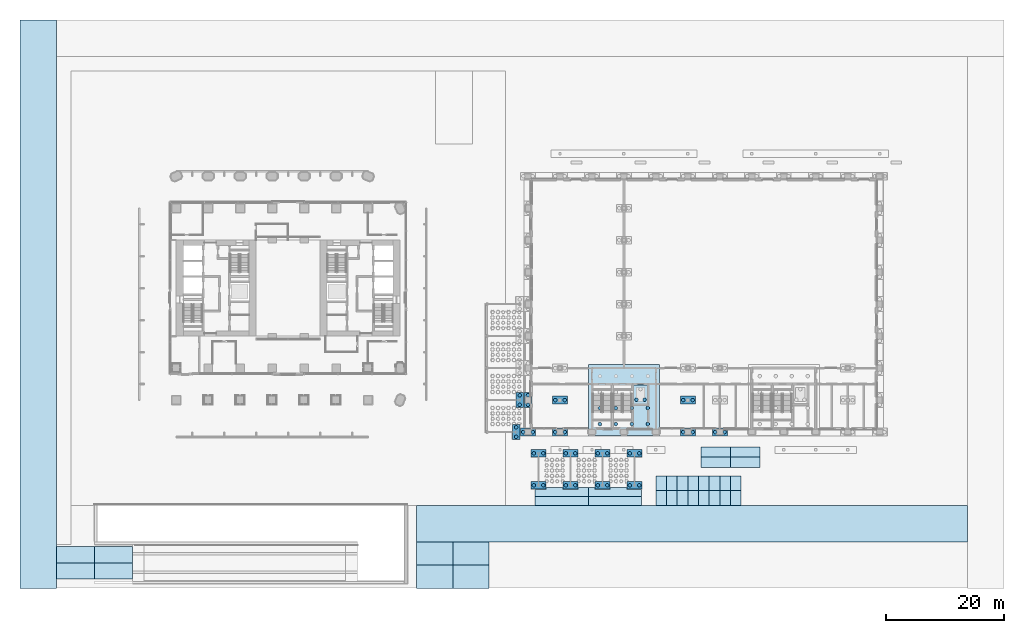
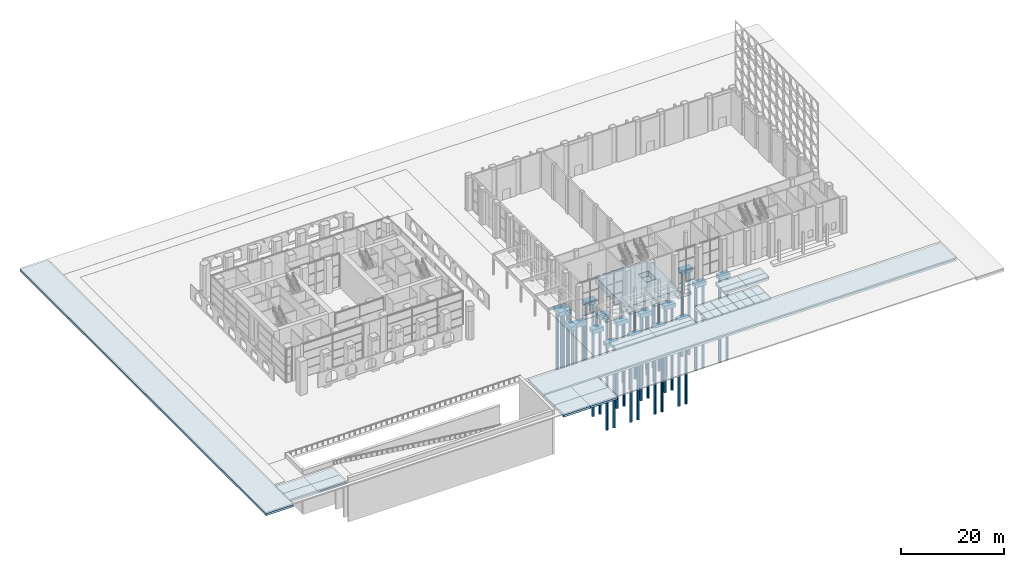
# One storey, part 1 of 54: 53 footings, 44 piles.
"""IFC4 building model written with IfcOpenShell, lengths in metres."""

from ifc_helpers import new_model, si_unit, direction, frame, origin, origin_2d, place, context, subcontext, project, spatial, polyline, rectangle, circle, outline, extrude, material, material_profile, profile_set, type_object, element, save


model = new_model("IFC4")

# Units and contexts
model_context = context("Model", 3, precision=1e-05, world=origin(), true_north=direction((0.0, 1.0)))
body_context = subcontext(model_context, "Body", "Model", "MODEL_VIEW")
ifc_project = project(units=[si_unit("LENGTHUNIT", "METRE"), si_unit("AREAUNIT", "SQUARE_METRE"), si_unit("VOLUMEUNIT", "CUBIC_METRE"), si_unit("PLANEANGLEUNIT", "RADIAN"), si_unit("MASSUNIT", "GRAM", prefix="KILO")], contexts=[model_context])

# Site, building, storey
site_placement = place(None, origin())
site = spatial("IfcSite", under=ifc_project, at=site_placement, CompositionType="ELEMENT")
building_placement = place(site_placement, origin())
building = spatial("IfcBuilding", under=site, at=building_placement, Name="Tabaq Tower and Sports Hall", CompositionType="ELEMENT")
storey_placement = place(building_placement, origin())
storey = spatial("IfcBuildingStorey", under=building, at=storey_placement, Name="L00", CompositionType="ELEMENT", Elevation=0.0)

# Piles
ifc_material_1 = material(Name="Concrete C40/50 sulphate-resisting", Category="concrete")
ifc_material_profile_1 = material_profile(ifc_material_1, circle(Radius=0.300048828125, at=origin_2d()), Name="D600")
ifc_profile_set_1 = profile_set([ifc_material_profile_1], Name="Concrete C40/50 sulphate-resisting")
pile_type_1 = type_object("IfcPileType", Name="CANOPY BORED PILE D600", PredefinedType="BORED", material=ifc_profile_set_1)
for number, where, z_axis, x_axis, name in (
    (1, (62.800048828125, -0.800048828125, -1.199951171875), (0.0, 0.0, -1.0), (1.0, 0.0, 0.0), "Canopy bored pile PC1-1"),
    (2, (62.800048828125, 0.800048828125, -1.199951171875), (0.0, 0.0, -1.0), (1.0, 0.0, 0.0), "Canopy bored pile PC1-2"),
    (3, (63.39990234375, 4.60009765625, -1.199951171875), (0.0, 0.0, -1.0), (1.0, 0.0, 0.0), "Canopy bored pile PC2-1"),
    (4, (63.39990234375, 6.199951171875, -1.199951171875), (0.0, 0.0, -1.0), (1.0, 0.0, 0.0), "Canopy bored pile PC2-2"),
    (5, (65.800048828125, -9.0, -1.199951171875), (0.0, 0.0, -1.0), (1.0, 0.0, 0.0), "Canopy bored pile DC1-1"),
    (6, (67.39990234375, -9.0, -1.199951171875), (0.0, 0.0, -1.0), (1.0, 0.0, 0.0), "Canopy bored pile DC1-2"),
    (7, (65.800048828125, -3.60009765625, -1.199951171875), (0.0, 0.0, -1.0), (1.0, 0.0, 0.0), "Canopy bored pile DC1R-1"),
    (8, (67.39990234375, -3.60009765625, -1.199951171875), (0.0, 0.0, -1.0), (1.0, 0.0, 0.0), "Canopy bored pile DC1R-2"),
    (9, (71.199951171875, -9.0, -1.199951171875), (0.0, 0.0, -1.0), (1.0, 0.0, 0.0), "Canopy bored pile DC2-1"),
    (10, (72.800048828125, -9.0, -1.199951171875), (0.0, 0.0, -1.0), (1.0, 0.0, 0.0), "Canopy bored pile DC2-2"),
    (11, (71.199951171875, -3.60009765625, -1.199951171875), (0.0, 0.0, -1.0), (1.0, 0.0, 0.0), "Canopy bored pile DC2R-1"),
    (12, (72.800048828125, -3.60009765625, -1.199951171875), (0.0, 0.0, -1.0), (1.0, 0.0, 0.0), "Canopy bored pile DC2R-2"),
    (13, (76.60009765625, -9.0, -1.199951171875), (0.0, 0.0, -1.0), (1.0, 0.0, 0.0), "Canopy bored pile DC3-1"),
    (14, (78.199951171875, -9.0, -1.199951171875), (0.0, 0.0, -1.0), (1.0, 0.0, 0.0), "Canopy bored pile DC3-2"),
    (15, (76.60009765625, -3.60009765625, -1.199951171875), (0.0, 0.0, -1.0), (1.0, 0.0, 0.0), "Canopy bored pile DC3R-1"),
    (16, (78.199951171875, -3.60009765625, -1.199951171875), (0.0, 0.0, -1.0), (1.0, 0.0, 0.0), "Canopy bored pile DC3R-2"),
    (17, (82.0, -9.0, -1.199951171875), (0.0, 0.0, -1.0), (1.0, 0.0, 0.0), "Canopy bored pile DC4-1"),
    (18, (83.60009765625, -9.0, -1.199951171875), (0.0, 0.0, -1.0), (1.0, 0.0, 0.0), "Canopy bored pile DC4-2"),
    (19, (82.0, -3.60009765625, -1.199951171875), (0.0, 0.0, -1.0), (1.0, 0.0, 0.0), "Canopy bored pile DC4R-1"),
    (20, (83.60009765625, -3.60009765625, -1.199951171875), (0.0, 0.0, -1.0), (1.0, 0.0, 0.0), "Canopy bored pile DC4R-2"),
):
    element("IfcPile", number, at=place(storey_placement, frame(where, z_axis=z_axis, x_axis=x_axis)), inside=storey, type_object=pile_type_1, Name=name, PredefinedType="BORED", context=body_context, shape_type="SweptSolid", body=[
        extrude(circle(Radius=0.300048828125, at=origin_2d()), origin(), (0.0, 0.0, 1.0), 20.0),
    ])

# Footings
ifc_material_2 = material(Name="Concrete C40/50 sulphate-resisting", Category="concrete")
footing_type_1 = type_object("IfcFootingType", Name="CANOPY PILE CAP 2500x1300x1000", PredefinedType="PILE_CAP", material=ifc_material_2)
for number, where, z_axis, x_axis, name in (
    (21, (62.800048828125, 0.0, -1.300048828125), (0.0, 0.0, 1.0), (0.0, 1.0, 0.0), "Canopy pile cap PC1"),
    (22, (63.39990234375, 5.39990234375, -1.300048828125), (0.0, 0.0, 1.0), (0.0, 1.0, 0.0), "Canopy pile cap PC2"),
    (23, (66.60009765625, -9.0, -1.300048828125), (0.0, 0.0, 1.0), (1.0, 0.0, 0.0), "Canopy pile cap DC1"),
    (24, (66.60009765625, -3.60009765625, -1.300048828125), (0.0, 0.0, 1.0), (1.0, 0.0, 0.0), "Canopy pile cap DC1R"),
    (25, (72.0, -9.0, -1.300048828125), (0.0, 0.0, 1.0), (1.0, 0.0, 0.0), "Canopy pile cap DC2"),
    (26, (72.0, -3.60009765625, -1.300048828125), (0.0, 0.0, 1.0), (1.0, 0.0, 0.0), "Canopy pile cap DC2R"),
    (27, (77.39990234375, -9.0, -1.300048828125), (0.0, 0.0, 1.0), (1.0, 0.0, 0.0), "Canopy pile cap DC3"),
    (28, (77.39990234375, -3.60009765625, -1.300048828125), (0.0, 0.0, 1.0), (1.0, 0.0, 0.0), "Canopy pile cap DC3R"),
    (29, (82.800048828125, -9.0, -1.300048828125), (0.0, 0.0, 1.0), (1.0, 0.0, 0.0), "Canopy pile cap DC4"),
    (30, (82.800048828125, -3.60009765625, -1.300048828125), (0.0, 0.0, 1.0), (1.0, 0.0, 0.0), "Canopy pile cap DC4R"),
):
    element("IfcFooting", number, at=place(storey_placement, frame(where, z_axis=z_axis, x_axis=x_axis)), inside=storey, type_object=footing_type_1, Name=name, PredefinedType="PILE_CAP", context=body_context, shape_type="SweptSolid", body=[
        extrude(rectangle(XDim=2.5, YDim=1.300048828125, at=origin_2d()), origin(), (0.0, 0.0, 1.0), 1.0),
    ])
ifc_material_3 = material(Name="Compacted crushed limestone sub-base", Category="masonry")
footing_type_2 = type_object("IfcFootingType", Name="COMPACTED LIMESTONE SUB-BASE 500", PredefinedType="USERDEFINED", material=ifc_material_3)
footing_1_placement = place(storey_placement, frame((0.0, 0.0, -0.800048828125)))
element("IfcFooting", 31, at=footing_1_placement, inside=storey, type_object=footing_type_2, Name="Sub-base under west street (fire appliance access)", ObjectType="SUB-BASE", PredefinedType="USERDEFINED", context=body_context, shape_type="SweptSolid", body=[
    extrude(outline(polyline([(-14.800048828125, 69.580078125), (-20.97998046875, 69.580078125), (-20.97998046875, -26.3798828125), (-14.800048828125, -26.3798828125), (-14.800048828125, 69.580078125)])), origin(), (0.0, 0.0, 1.0), 0.5),
])
footing_2_placement = place(storey_placement, frame((0.0, 0.0, -0.800048828125)))
element("IfcFooting", 32, at=footing_2_placement, inside=storey, type_object=footing_type_2, Name="Sub-base under car park access road", ObjectType="SUB-BASE", PredefinedType="USERDEFINED", context=body_context, shape_type="SweptSolid", body=[
    extrude(outline(polyline([(-14.800048828125, -24.85009765625), (-8.39990234375, -24.85009765625), (-8.39990234375, -22.10009765625), (-14.800048828125, -22.10009765625), (-14.800048828125, -24.85009765625)])), origin(), (0.0, 0.0, 1.0), 0.5),
])
footing_3_placement = place(storey_placement, frame((0.0, 0.0, -0.800048828125)))
element("IfcFooting", 33, at=footing_3_placement, inside=storey, type_object=footing_type_2, Name="Sub-base under car park access road", ObjectType="SUB-BASE", PredefinedType="USERDEFINED", context=body_context, shape_type="SweptSolid", body=[
    extrude(outline(polyline([(-2.0, -24.85009765625), (-2.0, -22.10009765625), (-8.39990234375, -22.10009765625), (-8.39990234375, -24.85009765625), (-2.0, -24.85009765625)])), origin(), (0.0, 0.0, 1.0), 0.5),
])
footing_4_placement = place(storey_placement, frame((0.0, 0.0, -0.800048828125)))
element("IfcFooting", 34, at=footing_4_placement, inside=storey, type_object=footing_type_2, Name="Sub-base under car park access road", ObjectType="SUB-BASE", PredefinedType="USERDEFINED", context=body_context, shape_type="SweptSolid", body=[
    extrude(outline(polyline([(-8.39990234375, -19.35009765625), (-14.800048828125, -19.35009765625), (-14.800048828125, -22.10009765625), (-8.39990234375, -22.10009765625), (-8.39990234375, -19.35009765625)])), origin(), (0.0, 0.0, 1.0), 0.5),
])
footing_5_placement = place(storey_placement, frame((0.0, 0.0, -0.800048828125)))
element("IfcFooting", 35, at=footing_5_placement, inside=storey, type_object=footing_type_2, Name="Sub-base under car park access road", ObjectType="SUB-BASE", PredefinedType="USERDEFINED", context=body_context, shape_type="SweptSolid", body=[
    extrude(outline(polyline([(-2.0, -19.35009765625), (-8.39990234375, -19.35009765625), (-8.39990234375, -22.10009765625), (-2.0, -22.10009765625), (-2.0, -19.35009765625)])), origin(), (0.0, 0.0, 1.0), 0.5),
])
footing_6_placement = place(storey_placement, frame((0.0, 0.0, -0.800048828125)))
element("IfcFooting", 36, at=footing_6_placement, inside=storey, type_object=footing_type_2, Name="Sub-base under south road (fire appliance access)", ObjectType="SUB-BASE", PredefinedType="USERDEFINED", context=body_context, shape_type="SweptSolid", body=[
    extrude(outline(polyline([(46.0, -18.60009765625), (139.0, -18.60009765625), (139.0, -12.39990234375), (61.0, -12.39990234375), (46.0, -12.39990234375), (46.0, -18.60009765625)])), origin(), (0.0, 0.0, 1.0), 0.5),
])
footing_7_placement = place(storey_placement, frame((0.0, 0.0, -0.800048828125)))
element("IfcFooting", 37, at=footing_7_placement, inside=storey, type_object=footing_type_2, Name="Sub-base under south road turning head (fire appliance access)", ObjectType="SUB-BASE", PredefinedType="USERDEFINED", context=body_context, shape_type="SweptSolid", body=[
    extrude(outline(polyline([(46.0, -26.3798828125), (52.10009765625, -26.3798828125), (52.10009765625, -22.489990234375), (46.0, -22.489990234375), (46.0, -26.3798828125)])), origin(), (0.0, 0.0, 1.0), 0.5),
])
footing_8_placement = place(storey_placement, frame((0.0, 0.0, -0.800048828125)))
element("IfcFooting", 38, at=footing_8_placement, inside=storey, type_object=footing_type_2, Name="Sub-base under south road turning head (fire appliance access)", ObjectType="SUB-BASE", PredefinedType="USERDEFINED", context=body_context, shape_type="SweptSolid", body=[
    extrude(outline(polyline([(58.199951171875, -26.3798828125), (58.199951171875, -22.489990234375), (52.10009765625, -22.489990234375), (52.10009765625, -26.3798828125), (58.199951171875, -26.3798828125)])), origin(), (0.0, 0.0, 1.0), 0.5),
])
footing_9_placement = place(storey_placement, frame((0.0, 0.0, -0.800048828125)))
element("IfcFooting", 39, at=footing_9_placement, inside=storey, type_object=footing_type_2, Name="Sub-base under south road turning head (fire appliance access)", ObjectType="SUB-BASE", PredefinedType="USERDEFINED", context=body_context, shape_type="SweptSolid", body=[
    extrude(outline(polyline([(46.0, -18.60009765625), (46.0, -22.489990234375), (52.10009765625, -22.489990234375), (52.10009765625, -18.60009765625), (46.0, -18.60009765625)])), origin(), (0.0, 0.0, 1.0), 0.5),
])
footing_10_placement = place(storey_placement, frame((0.0, 0.0, -0.800048828125)))
element("IfcFooting", 40, at=footing_10_placement, inside=storey, type_object=footing_type_2, Name="Sub-base under south road turning head (fire appliance access)", ObjectType="SUB-BASE", PredefinedType="USERDEFINED", context=body_context, shape_type="SweptSolid", body=[
    extrude(outline(polyline([(58.199951171875, -22.489990234375), (58.199951171875, -18.60009765625), (52.10009765625, -18.60009765625), (52.10009765625, -22.489990234375), (58.199951171875, -22.489990234375)])), origin(), (0.0, 0.0, 1.0), 0.5),
])
footing_11_placement = place(storey_placement, frame((0.0, 0.0, -0.75)))
element("IfcFooting", 41, at=footing_11_placement, inside=storey, type_object=footing_type_2, Name="Sub-base under loading bay 3.5 x 10 m", ObjectType="SUB-BASE", PredefinedType="USERDEFINED", context=body_context, shape_type="SweptSolid", body=[
    extrude(outline(polyline([(94.0, -4.25), (94.0, -6.0), (99.0, -6.0), (99.0, -4.25), (94.0, -4.25)])), origin(), (0.0, 0.0, 1.0), 0.5),
])
footing_12_placement = place(storey_placement, frame((0.0, 0.0, -0.75)))
element("IfcFooting", 42, at=footing_12_placement, inside=storey, type_object=footing_type_2, Name="Sub-base under loading bay 3.5 x 10 m", ObjectType="SUB-BASE", PredefinedType="USERDEFINED", context=body_context, shape_type="SweptSolid", body=[
    extrude(outline(polyline([(104.0, -6.0), (104.0, -4.25), (99.0, -4.25), (99.0, -6.0), (104.0, -6.0)])), origin(), (0.0, 0.0, 1.0), 0.5),
])
footing_13_placement = place(storey_placement, frame((0.0, 0.0, -0.75)))
element("IfcFooting", 43, at=footing_13_placement, inside=storey, type_object=footing_type_2, Name="Sub-base under loading bay 3.5 x 10 m", ObjectType="SUB-BASE", PredefinedType="USERDEFINED", context=body_context, shape_type="SweptSolid", body=[
    extrude(outline(polyline([(94.0, -2.5), (94.0, -4.25), (99.0, -4.25), (99.0, -2.5), (94.0, -2.5)])), origin(), (0.0, 0.0, 1.0), 0.5),
])
footing_14_placement = place(storey_placement, frame((0.0, 0.0, -0.75)))
element("IfcFooting", 44, at=footing_14_placement, inside=storey, type_object=footing_type_2, Name="Sub-base under loading bay 3.5 x 10 m", ObjectType="SUB-BASE", PredefinedType="USERDEFINED", context=body_context, shape_type="SweptSolid", body=[
    extrude(outline(polyline([(104.0, -2.5), (99.0, -2.5), (99.0, -4.25), (104.0, -4.25), (104.0, -2.5)])), origin(), (0.0, 0.0, 1.0), 0.5),
])
footing_15_placement = place(storey_placement, frame((0.0, 0.0, -0.75)))
element("IfcFooting", 45, at=footing_15_placement, inside=storey, type_object=footing_type_2, Name="Sub-base under drop-off lay-by", ObjectType="SUB-BASE", PredefinedType="USERDEFINED", context=body_context, shape_type="SweptSolid", body=[
    extrude(outline(polyline([(66.0, -12.39990234375), (75.0, -12.39990234375), (75.0, -10.89990234375), (66.0, -10.89990234375), (66.0, -12.39990234375)])), origin(), (0.0, 0.0, 1.0), 0.5),
])
footing_16_placement = place(storey_placement, frame((0.0, 0.0, -0.75)))
element("IfcFooting", 46, at=footing_16_placement, inside=storey, type_object=footing_type_2, Name="Sub-base under drop-off lay-by", ObjectType="SUB-BASE", PredefinedType="USERDEFINED", context=body_context, shape_type="SweptSolid", body=[
    extrude(outline(polyline([(75.0, -12.39990234375), (84.0, -12.39990234375), (84.0, -10.89990234375), (75.0, -10.89990234375), (75.0, -12.39990234375)])), origin(), (0.0, 0.0, 1.0), 0.5),
])
footing_17_placement = place(storey_placement, frame((0.0, 0.0, -0.75)))
element("IfcFooting", 47, at=footing_17_placement, inside=storey, type_object=footing_type_2, Name="Sub-base under drop-off lay-by", ObjectType="SUB-BASE", PredefinedType="USERDEFINED", context=body_context, shape_type="SweptSolid", body=[
    extrude(outline(polyline([(66.0, -9.669921875), (66.0, -10.89990234375), (75.0, -10.89990234375), (75.0, -9.39990234375), (73.27001953125, -9.39990234375), (73.27001953125, -9.64990234375), (73.27001953125, -9.652099609375), (73.26953125, -9.65380859375), (73.26904296875, -9.65576171875), (73.2685546875, -9.65771484375), (73.267578125, -9.659423828125), (73.2666015625, -9.6611328125), (73.265380859375, -9.66259765625), (73.26416015625, -9.6640625), (73.2626953125, -9.66552734375), (73.260986328125, -9.66650390625), (73.259521484375, -9.66748046875), (73.2578125, -9.66845703125), (73.255859375, -9.669189453125), (73.25390625, -9.669677734375), (73.251953125, -9.669921875), (73.25, -9.669921875), (70.75, -9.669921875), (70.748046875, -9.669921875), (70.74609375, -9.669677734375), (70.744140625, -9.669189453125), (70.7421875, -9.66845703125), (70.740478515625, -9.66748046875), (70.739013671875, -9.66650390625), (70.7373046875, -9.66552734375), (70.73583984375, -9.6640625), (70.734619140625, -9.66259765625), (70.7333984375, -9.6611328125), (70.732421875, -9.659423828125), (70.7314453125, -9.65771484375), (70.73095703125, -9.65576171875), (70.73046875, -9.65380859375), (70.72998046875, -9.652099609375), (70.72998046875, -9.64990234375), (70.72998046875, -9.39990234375), (67.8701171875, -9.39990234375), (67.8701171875, -9.64990234375), (67.869873046875, -9.652099609375), (67.86962890625, -9.65380859375), (67.869140625, -9.65576171875), (67.868408203125, -9.65771484375), (67.86767578125, -9.659423828125), (67.86669921875, -9.6611328125), (67.865478515625, -9.66259765625), (67.864013671875, -9.6640625), (67.86279296875, -9.66552734375), (67.861083984375, -9.66650390625), (67.859375, -9.66748046875), (67.857666015625, -9.66845703125), (67.855712890625, -9.669189453125), (67.85400390625, -9.669677734375), (67.85205078125, -9.669921875), (67.85009765625, -9.669921875), (66.0, -9.669921875)])), origin(), (0.0, 0.0, 1.0), 0.5),
])
footing_18_placement = place(storey_placement, frame((0.0, 0.0, -0.75)))
element("IfcFooting", 48, at=footing_18_placement, inside=storey, type_object=footing_type_2, Name="Sub-base under drop-off lay-by", ObjectType="SUB-BASE", PredefinedType="USERDEFINED", context=body_context, shape_type="SweptSolid", body=[
    extrude(outline(polyline([(76.1298828125, -9.39990234375), (75.0, -9.39990234375), (75.0, -10.89990234375), (84.0, -10.89990234375), (84.0, -9.669921875), (81.550048828125, -9.669921875), (81.548095703125, -9.669921875), (81.546142578125, -9.669677734375), (81.544189453125, -9.669189453125), (81.542236328125, -9.66845703125), (81.54052734375, -9.66748046875), (81.538818359375, -9.66650390625), (81.537353515625, -9.66552734375), (81.535888671875, -9.6640625), (81.534423828125, -9.66259765625), (81.533447265625, -9.6611328125), (81.532470703125, -9.659423828125), (81.531494140625, -9.65771484375), (81.531005859375, -9.65576171875), (81.530517578125, -9.65380859375), (81.530029296875, -9.652099609375), (81.530029296875, -9.64990234375), (81.530029296875, -9.39990234375), (78.669921875, -9.39990234375), (78.669921875, -9.64990234375), (78.669921875, -9.652099609375), (78.669677734375, -9.65380859375), (78.669189453125, -9.65576171875), (78.66845703125, -9.65771484375), (78.66748046875, -9.659423828125), (78.66650390625, -9.6611328125), (78.66552734375, -9.66259765625), (78.6640625, -9.6640625), (78.66259765625, -9.66552734375), (78.6611328125, -9.66650390625), (78.659423828125, -9.66748046875), (78.65771484375, -9.66845703125), (78.65576171875, -9.669189453125), (78.65380859375, -9.669677734375), (78.652099609375, -9.669921875), (78.64990234375, -9.669921875), (76.14990234375, -9.669921875), (76.14794921875, -9.669921875), (76.14599609375, -9.669677734375), (76.144287109375, -9.669189453125), (76.142333984375, -9.66845703125), (76.140625, -9.66748046875), (76.138916015625, -9.66650390625), (76.13720703125, -9.66552734375), (76.135986328125, -9.6640625), (76.134521484375, -9.66259765625), (76.13330078125, -9.6611328125), (76.13232421875, -9.659423828125), (76.131591796875, -9.65771484375), (76.130859375, -9.65576171875), (76.13037109375, -9.65380859375), (76.130126953125, -9.652099609375), (76.1298828125, -9.64990234375), (76.1298828125, -9.39990234375)])), origin(), (0.0, 0.0, 1.0), 0.5),
])
footing_19_placement = place(storey_placement, frame((0.0, 0.0, -0.75)))
element("IfcFooting", 49, at=footing_19_placement, inside=storey, type_object=footing_type_2, Name="Sub-base under accessible parking bay 01", ObjectType="SUB-BASE", PredefinedType="USERDEFINED", context=body_context, shape_type="SweptSolid", body=[
    extrude(outline(polyline([(86.39990234375, -9.89990234375), (86.39990234375, -12.39990234375), (88.199951171875, -12.39990234375), (88.199951171875, -9.89990234375), (86.39990234375, -9.89990234375)])), origin(), (0.0, 0.0, 1.0), 0.5),
])
footing_20_placement = place(storey_placement, frame((0.0, 0.0, -0.75)))
element("IfcFooting", 50, at=footing_20_placement, inside=storey, type_object=footing_type_2, Name="Sub-base under accessible parking bay 01", ObjectType="SUB-BASE", PredefinedType="USERDEFINED", context=body_context, shape_type="SweptSolid", body=[
    extrude(outline(polyline([(90.0, -12.39990234375), (90.0, -9.89990234375), (88.199951171875, -9.89990234375), (88.199951171875, -12.39990234375), (90.0, -12.39990234375)])), origin(), (0.0, 0.0, 1.0), 0.5),
])
footing_21_placement = place(storey_placement, frame((0.0, 0.0, -0.75)))
element("IfcFooting", 51, at=footing_21_placement, inside=storey, type_object=footing_type_2, Name="Sub-base under accessible parking bay 01", ObjectType="SUB-BASE", PredefinedType="USERDEFINED", context=body_context, shape_type="SweptSolid", body=[
    extrude(outline(polyline([(86.39990234375, -7.39990234375), (86.39990234375, -9.89990234375), (88.199951171875, -9.89990234375), (88.199951171875, -7.39990234375), (86.39990234375, -7.39990234375)])), origin(), (0.0, 0.0, 1.0), 0.5),
])
footing_22_placement = place(storey_placement, frame((0.0, 0.0, -0.75)))
element("IfcFooting", 52, at=footing_22_placement, inside=storey, type_object=footing_type_2, Name="Sub-base under accessible parking bay 01", ObjectType="SUB-BASE", PredefinedType="USERDEFINED", context=body_context, shape_type="SweptSolid", body=[
    extrude(outline(polyline([(90.0, -7.39990234375), (88.199951171875, -7.39990234375), (88.199951171875, -9.89990234375), (90.0, -9.89990234375), (90.0, -7.39990234375)])), origin(), (0.0, 0.0, 1.0), 0.5),
])
footing_23_placement = place(storey_placement, frame((0.0, 0.0, -0.75)))
element("IfcFooting", 53, at=footing_23_placement, inside=storey, type_object=footing_type_2, Name="Sub-base under accessible parking bay 02", ObjectType="SUB-BASE", PredefinedType="USERDEFINED", context=body_context, shape_type="SweptSolid", body=[
    extrude(outline(polyline([(90.0, -9.89990234375), (90.0, -12.39990234375), (91.800048828125, -12.39990234375), (91.800048828125, -9.89990234375), (90.0, -9.89990234375)])), origin(), (0.0, 0.0, 1.0), 0.5),
])
footing_24_placement = place(storey_placement, frame((0.0, 0.0, -0.75)))
element("IfcFooting", 54, at=footing_24_placement, inside=storey, type_object=footing_type_2, Name="Sub-base under accessible parking bay 02", ObjectType="SUB-BASE", PredefinedType="USERDEFINED", context=body_context, shape_type="SweptSolid", body=[
    extrude(outline(polyline([(93.60009765625, -12.39990234375), (93.60009765625, -9.89990234375), (91.800048828125, -9.89990234375), (91.800048828125, -12.39990234375), (93.60009765625, -12.39990234375)])), origin(), (0.0, 0.0, 1.0), 0.5),
])
footing_25_placement = place(storey_placement, frame((0.0, 0.0, -0.75)))
element("IfcFooting", 55, at=footing_25_placement, inside=storey, type_object=footing_type_2, Name="Sub-base under accessible parking bay 02", ObjectType="SUB-BASE", PredefinedType="USERDEFINED", context=body_context, shape_type="SweptSolid", body=[
    extrude(outline(polyline([(90.0, -7.39990234375), (90.0, -9.89990234375), (91.800048828125, -9.89990234375), (91.800048828125, -7.39990234375), (90.0, -7.39990234375)])), origin(), (0.0, 0.0, 1.0), 0.5),
])
footing_26_placement = place(storey_placement, frame((0.0, 0.0, -0.75)))
element("IfcFooting", 56, at=footing_26_placement, inside=storey, type_object=footing_type_2, Name="Sub-base under accessible parking bay 02", ObjectType="SUB-BASE", PredefinedType="USERDEFINED", context=body_context, shape_type="SweptSolid", body=[
    extrude(outline(polyline([(93.60009765625, -7.39990234375), (91.800048828125, -7.39990234375), (91.800048828125, -9.89990234375), (93.60009765625, -9.89990234375), (93.60009765625, -7.39990234375)])), origin(), (0.0, 0.0, 1.0), 0.5),
])
footing_27_placement = place(storey_placement, frame((0.0, 0.0, -0.75)))
element("IfcFooting", 57, at=footing_27_placement, inside=storey, type_object=footing_type_2, Name="Sub-base under accessible parking bay 03", ObjectType="SUB-BASE", PredefinedType="USERDEFINED", context=body_context, shape_type="SweptSolid", body=[
    extrude(outline(polyline([(93.60009765625, -9.89990234375), (93.60009765625, -12.39990234375), (95.39990234375, -12.39990234375), (95.39990234375, -9.89990234375), (93.60009765625, -9.89990234375)])), origin(), (0.0, 0.0, 1.0), 0.5),
])
footing_28_placement = place(storey_placement, frame((0.0, 0.0, -0.75)))
element("IfcFooting", 58, at=footing_28_placement, inside=storey, type_object=footing_type_2, Name="Sub-base under accessible parking bay 03", ObjectType="SUB-BASE", PredefinedType="USERDEFINED", context=body_context, shape_type="SweptSolid", body=[
    extrude(outline(polyline([(97.199951171875, -12.39990234375), (97.199951171875, -9.89990234375), (95.39990234375, -9.89990234375), (95.39990234375, -12.39990234375), (97.199951171875, -12.39990234375)])), origin(), (0.0, 0.0, 1.0), 0.5),
])
footing_29_placement = place(storey_placement, frame((0.0, 0.0, -0.75)))
element("IfcFooting", 59, at=footing_29_placement, inside=storey, type_object=footing_type_2, Name="Sub-base under accessible parking bay 03", ObjectType="SUB-BASE", PredefinedType="USERDEFINED", context=body_context, shape_type="SweptSolid", body=[
    extrude(outline(polyline([(93.60009765625, -7.39990234375), (93.60009765625, -9.89990234375), (95.39990234375, -9.89990234375), (95.39990234375, -7.39990234375), (93.60009765625, -7.39990234375)])), origin(), (0.0, 0.0, 1.0), 0.5),
])
footing_30_placement = place(storey_placement, frame((0.0, 0.0, -0.75)))
element("IfcFooting", 60, at=footing_30_placement, inside=storey, type_object=footing_type_2, Name="Sub-base under accessible parking bay 03", ObjectType="SUB-BASE", PredefinedType="USERDEFINED", context=body_context, shape_type="SweptSolid", body=[
    extrude(outline(polyline([(97.199951171875, -7.39990234375), (95.39990234375, -7.39990234375), (95.39990234375, -9.89990234375), (97.199951171875, -9.89990234375), (97.199951171875, -7.39990234375)])), origin(), (0.0, 0.0, 1.0), 0.5),
])
footing_31_placement = place(storey_placement, frame((0.0, 0.0, -0.75)))
element("IfcFooting", 61, at=footing_31_placement, inside=storey, type_object=footing_type_2, Name="Sub-base under accessible parking bay 04", ObjectType="SUB-BASE", PredefinedType="USERDEFINED", context=body_context, shape_type="SweptSolid", body=[
    extrude(outline(polyline([(97.199951171875, -9.89990234375), (97.199951171875, -12.39990234375), (99.0, -12.39990234375), (99.0, -9.89990234375), (97.199951171875, -9.89990234375)])), origin(), (0.0, 0.0, 1.0), 0.5),
])
footing_32_placement = place(storey_placement, frame((0.0, 0.0, -0.75)))
element("IfcFooting", 62, at=footing_32_placement, inside=storey, type_object=footing_type_2, Name="Sub-base under accessible parking bay 04", ObjectType="SUB-BASE", PredefinedType="USERDEFINED", context=body_context, shape_type="SweptSolid", body=[
    extrude(outline(polyline([(100.800048828125, -12.39990234375), (100.800048828125, -9.89990234375), (99.0, -9.89990234375), (99.0, -12.39990234375), (100.800048828125, -12.39990234375)])), origin(), (0.0, 0.0, 1.0), 0.5),
])
footing_33_placement = place(storey_placement, frame((0.0, 0.0, -0.75)))
element("IfcFooting", 63, at=footing_33_placement, inside=storey, type_object=footing_type_2, Name="Sub-base under accessible parking bay 04", ObjectType="SUB-BASE", PredefinedType="USERDEFINED", context=body_context, shape_type="SweptSolid", body=[
    extrude(outline(polyline([(97.199951171875, -7.39990234375), (97.199951171875, -9.89990234375), (99.0, -9.89990234375), (99.0, -7.39990234375), (97.199951171875, -7.39990234375)])), origin(), (0.0, 0.0, 1.0), 0.5),
])
footing_34_placement = place(storey_placement, frame((0.0, 0.0, -0.75)))
element("IfcFooting", 64, at=footing_34_placement, inside=storey, type_object=footing_type_2, Name="Sub-base under accessible parking bay 04", ObjectType="SUB-BASE", PredefinedType="USERDEFINED", context=body_context, shape_type="SweptSolid", body=[
    extrude(outline(polyline([(100.800048828125, -7.39990234375), (99.0, -7.39990234375), (99.0, -9.89990234375), (100.800048828125, -9.89990234375), (100.800048828125, -7.39990234375)])), origin(), (0.0, 0.0, 1.0), 0.5),
])

# Piles
ifc_material_4 = material(Name="Concrete C40/50 sulphate-resisting", Category="concrete")
ifc_material_profile_2 = material_profile(ifc_material_4, circle(Radius=0.300048828125, at=origin_2d()), Name="D600")
ifc_profile_set_2 = profile_set([ifc_material_profile_2], Name="Concrete C40/50 sulphate-resisting")
pile_type_2 = type_object("IfcPileType", Name="HALL BORED PILE D600", PredefinedType="BORED", material=ifc_profile_set_2)
for number, where, z_axis, x_axis, name in (
    (65, (64.0, 0.0, -1.300048828125), (0.0, 0.0, -1.0), (1.0, 0.0, 0.0), "Bored pile 13A-1"),
    (66, (65.60009765625, 0.0, -1.300048828125), (0.0, 0.0, -1.0), (1.0, 0.0, 0.0), "Bored pile 13A-2"),
    (67, (64.800048828125, 4.60009765625, -1.300048828125), (0.0, 0.0, -1.0), (1.0, 0.0, 0.0), "Bored pile 13B-1"),
    (68, (64.800048828125, 6.199951171875, -1.300048828125), (0.0, 0.0, -1.0), (1.0, 0.0, 0.0), "Bored pile 13B-2"),
    (69, (69.39990234375, 0.0, -1.300048828125), (0.0, 0.0, -1.0), (1.0, 0.0, 0.0), "Bored pile 14A-1"),
    (70, (71.0, 0.0, -1.300048828125), (0.0, 0.0, -1.0), (1.0, 0.0, 0.0), "Bored pile 14A-2"),
    (71, (69.39990234375, 5.39990234375, -1.300048828125), (0.0, 0.0, -1.0), (1.0, 0.0, 0.0), "Bored pile 14B-1"),
    (72, (71.0, 5.39990234375, -1.300048828125), (0.0, 0.0, -1.0), (1.0, 0.0, 0.0), "Bored pile 14B-2"),
    (73, (91.0, 0.0, -1.300048828125), (0.0, 0.0, -1.0), (1.0, 0.0, 0.0), "Bored pile 18A-1"),
    (74, (92.60009765625, 0.0, -1.300048828125), (0.0, 0.0, -1.0), (1.0, 0.0, 0.0), "Bored pile 18A-2"),
    (75, (91.0, 5.39990234375, -1.300048828125), (0.0, 0.0, -1.0), (1.0, 0.0, 0.0), "Bored pile 18B-1"),
    (76, (92.60009765625, 5.39990234375, -1.300048828125), (0.0, 0.0, -1.0), (1.0, 0.0, 0.0), "Bored pile 18B-2"),
    (77, (96.39990234375, 0.0, -1.300048828125), (0.0, 0.0, -1.0), (1.0, 0.0, 0.0), "Bored pile 19A-1"),
    (78, (98.0, 0.0, -1.300048828125), (0.0, 0.0, -1.0), (1.0, 0.0, 0.0), "Bored pile 19A-2"),
    (79, (76.949951171875, 1.35009765625, -1.824951171875), (0.0, 0.0, -1.0), (1.0, 0.0, 0.0), "Core A bored pile 1"),
    (80, (76.949951171875, 4.050048828125, -1.824951171875), (0.0, 0.0, -1.0), (1.0, 0.0, 0.0), "Core A bored pile 2"),
    (81, (79.64990234375, 1.35009765625, -1.824951171875), (0.0, 0.0, -1.0), (1.0, 0.0, 0.0), "Core A bored pile 5"),
    (82, (79.64990234375, 4.050048828125, -1.824951171875), (0.0, 0.0, -1.0), (1.0, 0.0, 0.0), "Core A bored pile 6"),
    (83, (82.35009765625, 1.35009765625, -1.824951171875), (0.0, 0.0, -1.0), (1.0, 0.0, 0.0), "Core A bored pile 9"),
    (84, (82.35009765625, 4.050048828125, -1.824951171875), (0.0, 0.0, -1.0), (1.0, 0.0, 0.0), "Core A bored pile 10"),
    (85, (85.050048828125, 1.35009765625, -1.824951171875), (0.0, 0.0, -1.0), (1.0, 0.0, 0.0), "Core A bored pile 13"),
    (86, (85.050048828125, 4.050048828125, -1.824951171875), (0.0, 0.0, -1.0), (1.0, 0.0, 0.0), "Core A bored pile 14"),
    (87, (83.1201171875, 5.449951171875, -1.699951171875), (0.0, 0.0, -1.0), (1.0, 0.0, 0.0), "Lift A pit pile 1"),
    (88, (84.47998046875, 5.449951171875, -1.699951171875), (0.0, 0.0, -1.0), (1.0, 0.0, 0.0), "Lift A pit pile 2"),
):
    element("IfcPile", number, at=place(storey_placement, frame(where, z_axis=z_axis, x_axis=x_axis)), inside=storey, type_object=pile_type_2, Name=name, PredefinedType="BORED", context=body_context, shape_type="SweptSolid", body=[
        extrude(circle(Radius=0.300048828125, at=origin_2d()), origin(), (0.0, 0.0, 1.0), 20.0),
    ])

# Footings
ifc_material_5 = material(Name="Concrete C40/50 sulphate-resisting", Category="concrete")
footing_type_3 = type_object("IfcFootingType", Name="HALL CORE RAFT 1500 C40/50", PredefinedType="PILE_CAP", material=ifc_material_5)
footing_35_placement = place(storey_placement, frame((0.0, 0.0, -1.89990234375)))
element("IfcFooting", 89, at=footing_35_placement, inside=storey, type_object=footing_type_3, Name="Core A raft", PredefinedType="PILE_CAP", context=body_context, shape_type="SweptSolid", body=[
    extrude(outline(polyline([(75.0, -0.60009765625), (87.0, -0.60009765625), (87.0, 11.39990234375), (75.0, 11.39990234375), (75.0, -0.60009765625)]), holes=[polyline([(82.64990234375, 4.75), (84.949951171875, 4.75), (84.949951171875, 7.949951171875), (82.64990234375, 7.949951171875), (82.64990234375, 4.75)])]), origin(), (0.0, 0.0, 1.0), 1.5),
])
ifc_material_6 = material(Name="Concrete C40/50 sulphate-resisting", Category="concrete")
footing_type_4 = type_object("IfcFootingType", Name="HALL LIFT PIT CAP 300 C40/50", PredefinedType="PILE_CAP", material=ifc_material_6)
footing_36_placement = place(storey_placement, frame((83.800048828125, 6.35009765625, -1.89990234375), z_axis=(0.0, 0.0, 1.0), x_axis=(1.0, 0.0, 0.0)))
element("IfcFooting", 90, at=footing_36_placement, inside=storey, type_object=footing_type_4, Name="Lift A pit floor", PredefinedType="PILE_CAP", context=body_context, shape_type="SweptSolid", body=[
    extrude(rectangle(XDim=2.300048828125, YDim=3.199951171875, at=origin_2d()), origin(), (0.0, 0.0, 1.0), 0.300048828125),
])
ifc_material_7 = material(Name="Concrete C40/50 sulphate-resisting", Category="concrete")
footing_type_5 = type_object("IfcFootingType", Name="HALL PILE CAP 2500x1300x1000", PredefinedType="PILE_CAP", material=ifc_material_7)
for number, where, z_axis, x_axis, name in (
    (91, (64.800048828125, 0.0, -1.39990234375), (0.0, 0.0, 1.0), (1.0, 0.0, 0.0), "Pile cap 13A"),
    (92, (64.800048828125, 5.39990234375, -1.39990234375), (0.0, 0.0, 1.0), (0.0, 1.0, 0.0), "Pile cap 13B"),
    (93, (70.199951171875, 0.0, -1.39990234375), (0.0, 0.0, 1.0), (1.0, 0.0, 0.0), "Pile cap 14A"),
    (94, (70.199951171875, 5.39990234375, -1.39990234375), (0.0, 0.0, 1.0), (1.0, 0.0, 0.0), "Pile cap 14B"),
    (95, (91.800048828125, 0.0, -1.39990234375), (0.0, 0.0, 1.0), (1.0, 0.0, 0.0), "Pile cap 18A"),
    (96, (91.800048828125, 5.39990234375, -1.39990234375), (0.0, 0.0, 1.0), (1.0, 0.0, 0.0), "Pile cap 18B"),
    (97, (97.199951171875, 0.0, -1.39990234375), (0.0, 0.0, 1.0), (1.0, 0.0, 0.0), "Pile cap 19A"),
):
    element("IfcFooting", number, at=place(storey_placement, frame(where, z_axis=z_axis, x_axis=x_axis)), inside=storey, type_object=footing_type_5, Name=name, PredefinedType="PILE_CAP", context=body_context, shape_type="SweptSolid", body=[
        extrude(rectangle(XDim=2.5, YDim=1.300048828125, at=origin_2d()), origin(), (0.0, 0.0, 1.0), 1.0),
    ])

save(model, "model.ifc")
